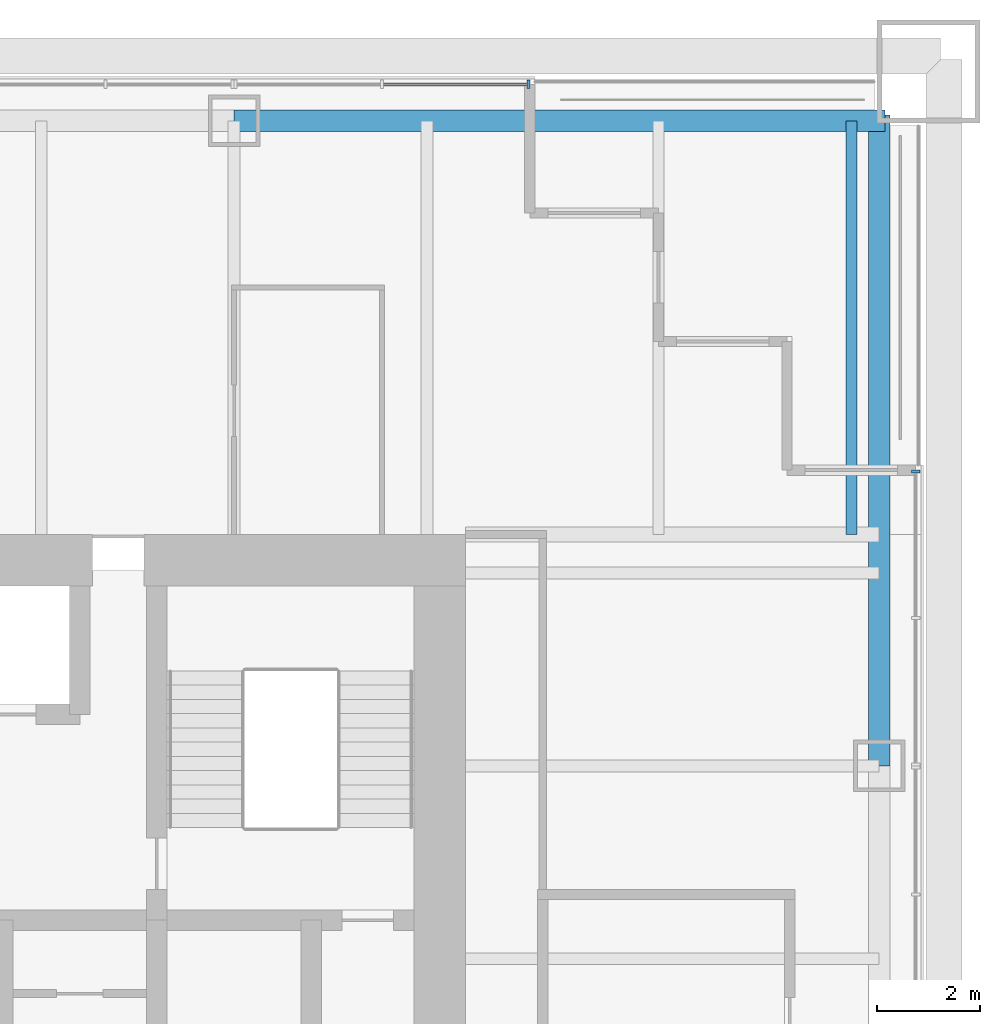
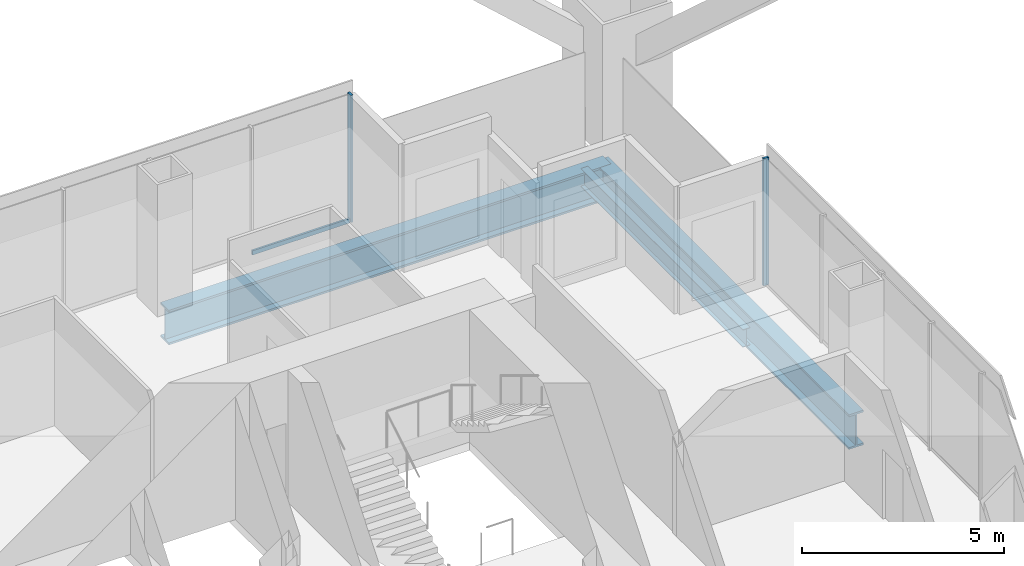
# One storey, part 11 of 18: 3 beams, 3 members, 2 elements without a shape of their own.
"""IFC4 building model written with IfcOpenShell, lengths in metres."""

from ifc_helpers import new_model, si_unit, direction, frame, origin, origin_2d, place, context, subcontext, project, spatial, rectangle, i_section, extrude, material, material_profile, profile_set, type_object, element, aggregate, save


model = new_model("IFC4")

# Units and contexts
model_context = context("Model", 3, precision=1e-05, world=origin(), true_north=direction((0.0, 1.0)))
body_context = subcontext(model_context, "Body", "Model", "MODEL_VIEW")
ifc_project = project(units=[si_unit("LENGTHUNIT", "METRE"), si_unit("AREAUNIT", "SQUARE_METRE"), si_unit("VOLUMEUNIT", "CUBIC_METRE"), si_unit("PLANEANGLEUNIT", "RADIAN"), si_unit("MASSUNIT", "GRAM", prefix="KILO")], contexts=[model_context])

# Site, building, storey
site_placement = place(None, origin())
site = spatial("IfcSite", under=ifc_project, at=site_placement, CompositionType="ELEMENT")
building_placement = place(site_placement, origin())
building = spatial("IfcBuilding", under=site, at=building_placement, Name="Tarangal Relay Tower", CompositionType="ELEMENT")
storey_placement = place(building_placement, frame((0.0, 0.0, 295.89990234375)))
storey = spatial("IfcBuildingStorey", under=building, at=storey_placement, Name="L65", CompositionType="ELEMENT", Elevation=295.89990234375)

# Beams
ifc_material_1 = material(Name="Steel ASTM A992", Category="steel")
ifc_material_profile_1 = material_profile(ifc_material_1, i_section(OverallWidth=0.209228515625, OverallDepth=0.533447265625, WebThickness=0.01025390625, FlangeThickness=0.015625, at=origin_2d()), Name="W21X62")
ifc_profile_set_1 = profile_set([ifc_material_profile_1], Name="Steel ASTM A992")
beam_type_1 = type_object("IfcBeamType", Name="Corner beam W21X62", PredefinedType="JOIST", material=ifc_profile_set_1)
beam_placement = place(storey_placement, frame((19.5, 12.0, -0.41650390625), z_axis=(0.0, 1.0, 0.0), x_axis=(-1.0, 0.0, 0.0)))
element("IfcBeam", 1, at=beam_placement, inside=storey, type_object=beam_type_1, Name="Corner beam CB12 N L65", PredefinedType="JOIST", context=body_context, shape_type="SweptSolid", body=[
    extrude(i_section(OverallWidth=0.209228515625, OverallDepth=0.533447265625, WebThickness=0.01025390625, FlangeThickness=0.015625, at=origin_2d()), origin(), (0.0, 0.0, 1.0), 8.0400390625),
])
ifc_material_profile_2 = material_profile(ifc_material_1, i_section(OverallWidth=0.41162109375, OverallDepth=1.049072265625, WebThickness=0.033935546875, FlangeThickness=0.059814453125, at=origin_2d()), Name="W40X431")
ifc_profile_set_2 = profile_set([ifc_material_profile_2], Name="Steel ASTM A992")
beam_type_2 = type_object("IfcBeamType", Name="Edge girder W40X431", PredefinedType="SPANDREL", material=ifc_profile_set_2)
for number, where, z_axis, x_axis, name in (
    (2, (7.5, 20.0400390625, -0.67431640625), (1.0, 0.0, 0.0), (0.0, 1.0, 0.0), "Edge girder EG1 N L65"),
    (3, (20.0400390625, 20.14990234375, -0.67431640625), (0.0, -1.0, 0.0), (1.0, 0.0, 0.0), "Edge girder EG1 E L65"),
):
    element("IfcBeam", number, at=place(storey_placement, frame(where, z_axis=z_axis, x_axis=x_axis)), inside=storey, type_object=beam_type_2, Name=name, PredefinedType="SPANDREL", context=body_context, shape_type="SweptSolid", body=[
        extrude(i_section(OverallWidth=0.41162109375, OverallDepth=1.049072265625, WebThickness=0.033935546875, FlangeThickness=0.059814453125, at=origin_2d()), origin(), (0.0, 0.0, 1.0), 12.64990234375),
    ])

# Curtain wall, member
ifc_material_2 = material(Name="Unitised curtain wall, dark glass and black aluminium", Category="aluminium")
curtain_wall_type = type_object("IfcCurtainWallType", Name="Curtain wall CW-B", PredefinedType="USERDEFINED", material=ifc_material_2)
curtain_wall_1_placement = place(storey_placement, origin())
curtain_wall_1 = element("IfcCurtainWall", 4, at=curtain_wall_1_placement, inside=storey, type_object=curtain_wall_type, Name="Curtain wall CW-B N facade L65", ObjectType="UNITISED CURTAIN WALL", PredefinedType="USERDEFINED")
ifc_material_3 = material(Name="Black anodised aluminium mullion", Category="aluminium")
ifc_material_profile_3 = material_profile(ifc_material_3, rectangle(XDim=0.159912109375, YDim=0.06005859375, at=origin_2d()), Name="CW-BM 60X160")
ifc_profile_set_3 = profile_set([ifc_material_profile_3], Name="Black anodised aluminium mullion")
member_type_1 = type_object("IfcMemberType", Name="Mullion CW-B 60 x 160", PredefinedType="MULLION", material=ifc_profile_set_3)
member_1_placement = place(storey_placement, frame((13.219970703125, 20.75, 0.0), z_axis=(0.0, 0.0, 1.0), x_axis=(0.0, 1.0, 0.0)))
member_1 = element("IfcMember", 5, at=member_1_placement, type_object=member_type_1, Name="CW-B mullion 3", PredefinedType="MULLION", context=body_context, shape_type="SweptSolid", body=[
    extrude(rectangle(XDim=0.159912109375, YDim=0.06005859375, at=origin_2d()), origin(), (0.0, 0.0, 1.0), 3.85009765625),
])

curtain_wall_2_placement = place(storey_placement, origin())
curtain_wall_2 = element("IfcCurtainWall", 6, at=curtain_wall_2_placement, inside=storey, type_object=curtain_wall_type, Name="Curtain wall CW-B E facade L65", ObjectType="UNITISED CURTAIN WALL", PredefinedType="USERDEFINED")
member_2_placement = place(storey_placement, frame((20.75, 13.219970703125, 0.0), z_axis=(0.0, 0.0, 1.0), x_axis=(1.0, 0.0, 0.0)))
member_2 = element("IfcMember", 7, at=member_2_placement, type_object=member_type_1, Name="CW-B mullion 1", PredefinedType="MULLION", context=body_context, shape_type="SweptSolid", body=[
    extrude(rectangle(XDim=0.159912109375, YDim=0.06005859375, at=origin_2d()), origin(), (0.0, 0.0, 1.0), 3.85009765625),
])
aggregate(curtain_wall_2, [member_2])

# Member
ifc_material_4 = material(Name="Black anodised aluminium transom", Category="aluminium")
ifc_material_profile_4 = material_profile(ifc_material_4, rectangle(XDim=0.06005859375, YDim=0.1298828125, at=origin_2d()), Name="CW-BT 60X130")
ifc_profile_set_4 = profile_set([ifc_material_profile_4], Name="Black anodised aluminium transom")
member_type_2 = type_object("IfcMemberType", Name="Transom CW-B 60 x 130", PredefinedType="USERDEFINED", material=ifc_profile_set_4)
member_3_placement = place(storey_placement, frame((10.405029296875, 20.75, 0.030029296875), z_axis=(1.0, 0.0, 0.0), x_axis=(0.0, 1.0, 0.0)))
member_3 = element("IfcMember", 8, at=member_3_placement, type_object=member_type_2, Name="CW-B transom 2.1", ObjectType="TRANSOM", PredefinedType="USERDEFINED", context=body_context, shape_type="SweptSolid", body=[
    extrude(rectangle(XDim=0.06005859375, YDim=0.1298828125, at=origin_2d()), origin(), (0.0, 0.0, 1.0), 2.784912109375),
])

aggregate(curtain_wall_1, [member_1, member_3])

save(model, "model.ifc")
